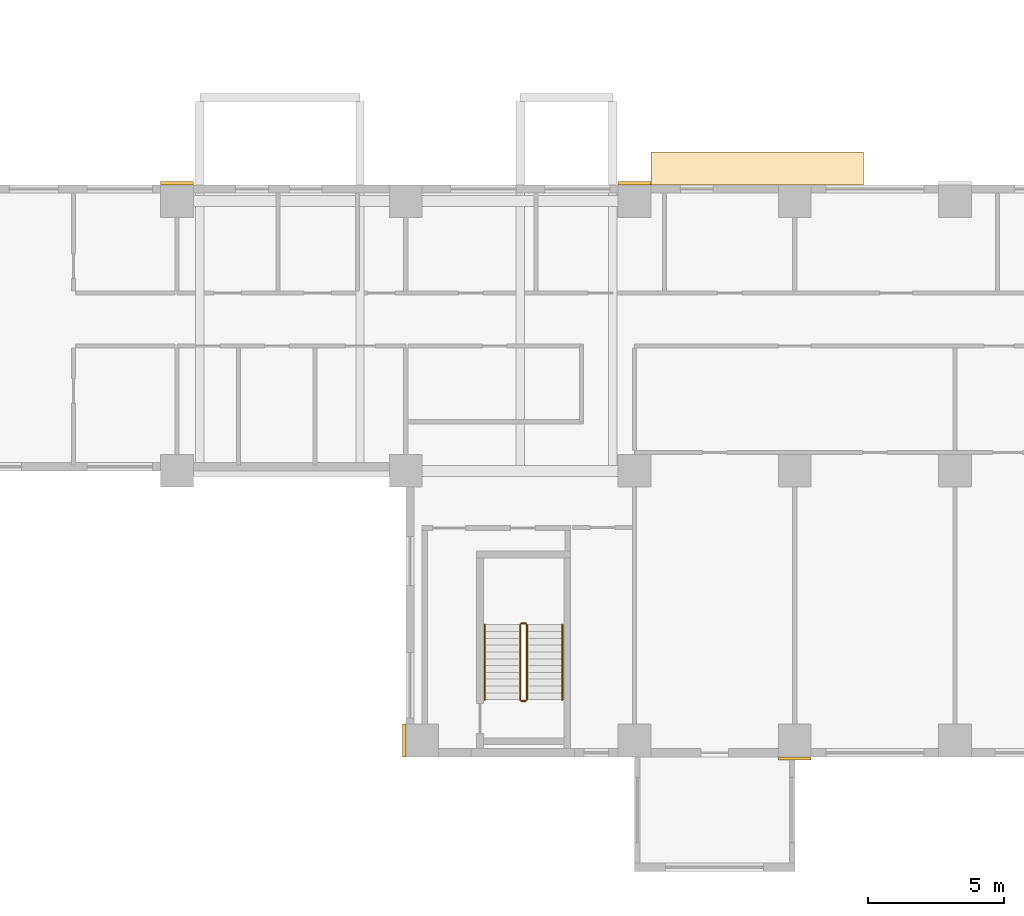
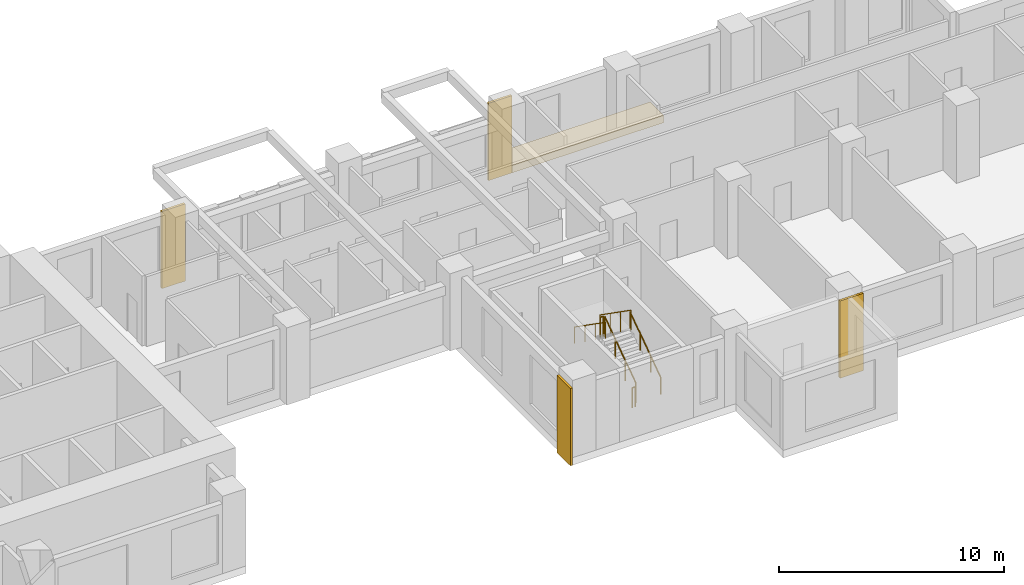
# One storey, part 15 of 18: 6 railings, 5 coverings.
"""IFC4 building model written with IfcOpenShell, lengths in metres."""

from ifc_helpers import new_model, si_unit, direction, frame, origin, origin_2d, place, context, subcontext, project, spatial, polyline, rectangle, circle, outline, extrude, source, transform, mapped, material, type_object, element, save


model = new_model("IFC4")

# Units and contexts
model_context = context("Model", 3, precision=1e-05, world=origin(), true_north=direction((0.0, 1.0)))
body_context = subcontext(model_context, "Body", "Model", "MODEL_VIEW")
ifc_project = project(units=[si_unit("LENGTHUNIT", "METRE"), si_unit("AREAUNIT", "SQUARE_METRE"), si_unit("VOLUMEUNIT", "CUBIC_METRE"), si_unit("PLANEANGLEUNIT", "RADIAN"), si_unit("MASSUNIT", "GRAM", prefix="KILO")], contexts=[model_context])

# Site, building, storey
site_placement = place(None, origin())
site = spatial("IfcSite", under=ifc_project, at=site_placement, CompositionType="ELEMENT")
building_placement = place(site_placement, origin())
building = spatial("IfcBuilding", under=site, at=building_placement, Name="Aurelian Terraces", CompositionType="ELEMENT")
storey_placement = place(building_placement, frame((0.0, 0.0, 99.3)))
storey = spatial("IfcBuildingStorey", under=building, at=storey_placement, Name="L21", CompositionType="ELEMENT", Elevation=99.3)

# Coverings
ifc_material_1 = material(Name="Terracotta roof tiles on membrane", Category="masonry")
covering_type_1 = type_object("IfcCoveringType", Name="Bay roof cover", PredefinedType="ROOFING", material=ifc_material_1)
covering_1_placement = place(storey_placement, frame((0.0, 0.0, -0.4)))
element("IfcCovering", 1, at=covering_1_placement, inside=storey, type_object=covering_type_1, Name="Bay roof L21 46.80_21.00_54.60_22.20", PredefinedType="ROOFING", context=body_context, shape_type="SweptSolid", body=[
    extrude(outline(polyline([(46.8, 21.0), (46.8, 22.2), (54.6, 22.2), (54.6, 21.0), (46.8, 21.0)])), origin(), (0.0, 0.0, 1.0), 0.4),
])
ifc_material_2 = material(Name="Terracotta rainscreen cladding relief", Category="masonry")
covering_type_2 = type_object("IfcCoveringType", Name="BAGUETTE-TC", PredefinedType="CLADDING", material=ifc_material_2)
shared_shape_1 = source(origin(), body_context, "Body", "SweptSolid", [
    extrude(rectangle(XDim=1.2, YDim=0.12, at=origin_2d()), origin(), (0.0, 0.0, 1.0), 4.2),
])
for number, where, z_axis, x_axis, name in (
    (2, (52.08, -0.06, -0.4), (0.0, 0.0, 1.0), (1.0, 0.0, 0.0), "BAGUETTE pier L21 3"),
    (3, (29.4, 21.06, -0.4), (0.0, 0.0, 1.0), (1.0, 0.0, 0.0), "BAGUETTE pier L21 5"),
    (4, (46.2, 21.06, -0.4), (0.0, 0.0, 1.0), (1.0, 0.0, 0.0), "BAGUETTE pier L21 6"),
):
    element("IfcCovering", number, at=place(storey_placement, frame(where, z_axis=z_axis, x_axis=x_axis)), inside=storey, type_object=covering_type_2, Name=name, PredefinedType="CLADDING", context=body_context, shape_type="MappedRepresentation", body=[
        mapped(shared_shape_1, transform((0.0, 0.0, 0.0), scale=1.0)),
    ])
shared_shape_2 = source(origin(), body_context, "Body", "SweptSolid", [
    extrude(rectangle(XDim=0.12, YDim=1.2, at=origin_2d()), origin(), (0.0, 0.0, 1.0), 4.2),
])
covering_2_placement = place(storey_placement, frame((37.74, 0.6, -0.4), z_axis=(0.0, 0.0, 1.0), x_axis=(1.0, 0.0, 0.0)))
element("IfcCovering", 5, at=covering_2_placement, inside=storey, type_object=covering_type_2, Name="BAGUETTE pier L21 2", PredefinedType="CLADDING", context=body_context, shape_type="MappedRepresentation", body=[
    mapped(shared_shape_2, transform((0.0, 0.0, 0.0), scale=1.0)),
])

# Railings
ifc_material_3 = material(Name="Stainless steel", Category="steel")
railing_type_1 = type_object("IfcRailingType", Name="Stair guard 1100", PredefinedType="GUARDRAIL", material=ifc_material_3)
shared_shape_3 = source(origin(), body_context, "Body", "SweptSolid", [
    extrude(circle(Radius=0.024, at=origin_2d()), frame((0.0, 0.0, 1.076), z_axis=(-1.0, 0.0, 0.0), x_axis=(0.0, -1.0, 0.0)), (0.0, 0.0, 1.0), 0.15),
    extrude(circle(Radius=0.021, at=origin_2d()), origin(), (0.0, 0.0, 1.0), 1.052),
    extrude(circle(Radius=0.021, at=origin_2d()), frame((-0.15, 0.0, 0.0)), (0.0, 0.0, 1.0), 1.052),
])
for number, where, name in (
    (6, (42.2, 4.9, 2.1), "L21 S2 stair guard 2"),
    (7, (42.2, 2.05, 0.0), "L21 S2 stair guard 4"),
):
    element("IfcRailing", number, at=place(storey_placement, frame(where)), inside=storey, type_object=railing_type_1, Name=name, PredefinedType="GUARDRAIL", context=body_context, shape_type="MappedRepresentation", body=[
        mapped(shared_shape_3, transform((0.0, 0.0, 0.0), scale=1.0)),
    ])
shared_shape_4 = source(origin(), body_context, "Body", "SweptSolid", [
    extrude(circle(Radius=0.024, at=origin_2d()), frame((0.0, 0.0, 1.076), z_axis=(0.0, 0.819231920519, 0.573462344363), x_axis=(-1.0, 0.0, 0.0)), (0.0, 0.0, 1.0), 3.3568),
    extrude(circle(Radius=0.021, at=origin_2d()), origin(), (0.0, 0.0, 1.0), 1.052),
    extrude(circle(Radius=0.021, at=origin_2d()), frame((0.0, 0.9167, 0.6417)), (0.0, 0.0, 1.0), 1.052),
    extrude(circle(Radius=0.021, at=origin_2d()), frame((0.0, 1.8333, 1.2833)), (0.0, 0.0, 1.0), 1.052),
    extrude(circle(Radius=0.021, at=origin_2d()), frame((0.0, 2.75, 1.925)), (0.0, 0.0, 1.0), 1.052),
])
railing_1_placement = place(storey_placement, frame((42.25, 2.1, 0.175)))
element("IfcRailing", 8, at=railing_1_placement, inside=storey, type_object=railing_type_1, Name="L21 S2 stair guard 1", PredefinedType="GUARDRAIL", context=body_context, shape_type="MappedRepresentation", body=[
    mapped(shared_shape_4, transform((0.0, 0.0, 0.0), scale=1.0)),
])
shared_shape_5 = source(origin(), body_context, "Body", "SweptSolid", [
    extrude(circle(Radius=0.024, at=origin_2d()), frame((0.0, 0.0, 1.076), z_axis=(0.0, -0.819231920519, 0.573462344363), x_axis=(1.0, 0.0, 0.0)), (0.0, 0.0, 1.0), 3.3568),
    extrude(circle(Radius=0.021, at=origin_2d()), origin(), (0.0, 0.0, 1.0), 1.052),
    extrude(circle(Radius=0.021, at=origin_2d()), frame((0.0, -0.9167, 0.6417)), (0.0, 0.0, 1.0), 1.052),
    extrude(circle(Radius=0.021, at=origin_2d()), frame((0.0, -1.8333, 1.2833)), (0.0, 0.0, 1.0), 1.052),
    extrude(circle(Radius=0.021, at=origin_2d()), frame((0.0, -2.75, 1.925)), (0.0, 0.0, 1.0), 1.052),
])
railing_2_placement = place(storey_placement, frame((42.0, 4.85, 2.275)))
element("IfcRailing", 9, at=railing_2_placement, inside=storey, type_object=railing_type_1, Name="L21 S2 stair guard 3", PredefinedType="GUARDRAIL", context=body_context, shape_type="MappedRepresentation", body=[
    mapped(shared_shape_5, transform((0.0, 0.0, 0.0), scale=1.0)),
])
railing_type_2 = type_object("IfcRailingType", Name="Stair handrail", PredefinedType="HANDRAIL", material=ifc_material_3)
shared_shape_6 = source(origin(), body_context, "Body", "SweptSolid", [
    extrude(circle(Radius=0.024, at=origin_2d()), frame((0.0, 0.0, 0.876), z_axis=(0.0, 0.819231920519, 0.573462344363), x_axis=(-1.0, 0.0, 0.0)), (0.0, 0.0, 1.0), 3.3568),
    extrude(circle(Radius=0.021, at=origin_2d()), origin(), (0.0, 0.0, 1.0), 0.852),
    extrude(circle(Radius=0.021, at=origin_2d()), frame((0.0, 0.9167, 0.6417)), (0.0, 0.0, 1.0), 0.852),
    extrude(circle(Radius=0.021, at=origin_2d()), frame((0.0, 1.8333, 1.2833)), (0.0, 0.0, 1.0), 0.852),
    extrude(circle(Radius=0.021, at=origin_2d()), frame((0.0, 2.75, 1.925)), (0.0, 0.0, 1.0), 0.852),
])
railing_3_placement = place(storey_placement, frame((43.55, 2.1, 0.175)))
element("IfcRailing", 10, at=railing_3_placement, inside=storey, type_object=railing_type_2, Name="L21 S2 stair handrail 1", PredefinedType="HANDRAIL", context=body_context, shape_type="MappedRepresentation", body=[
    mapped(shared_shape_6, transform((0.0, 0.0, 0.0), scale=1.0)),
])
shared_shape_7 = source(origin(), body_context, "Body", "SweptSolid", [
    extrude(circle(Radius=0.024, at=origin_2d()), frame((0.0, 0.0, 0.876), z_axis=(0.0, -0.819231920519, 0.573462344363), x_axis=(1.0, 0.0, 0.0)), (0.0, 0.0, 1.0), 3.3568),
    extrude(circle(Radius=0.021, at=origin_2d()), origin(), (0.0, 0.0, 1.0), 0.852),
    extrude(circle(Radius=0.021, at=origin_2d()), frame((0.0, -0.9167, 0.6417)), (0.0, 0.0, 1.0), 0.852),
    extrude(circle(Radius=0.021, at=origin_2d()), frame((0.0, -1.8333, 1.2833)), (0.0, 0.0, 1.0), 0.852),
    extrude(circle(Radius=0.021, at=origin_2d()), frame((0.0, -2.75, 1.925)), (0.0, 0.0, 1.0), 0.852),
])
railing_4_placement = place(storey_placement, frame((40.7, 4.85, 2.275)))
element("IfcRailing", 11, at=railing_4_placement, inside=storey, type_object=railing_type_2, Name="L21 S2 stair handrail 2", PredefinedType="HANDRAIL", context=body_context, shape_type="MappedRepresentation", body=[
    mapped(shared_shape_7, transform((0.0, 0.0, 0.0), scale=1.0)),
])

save(model, "model.ifc")
